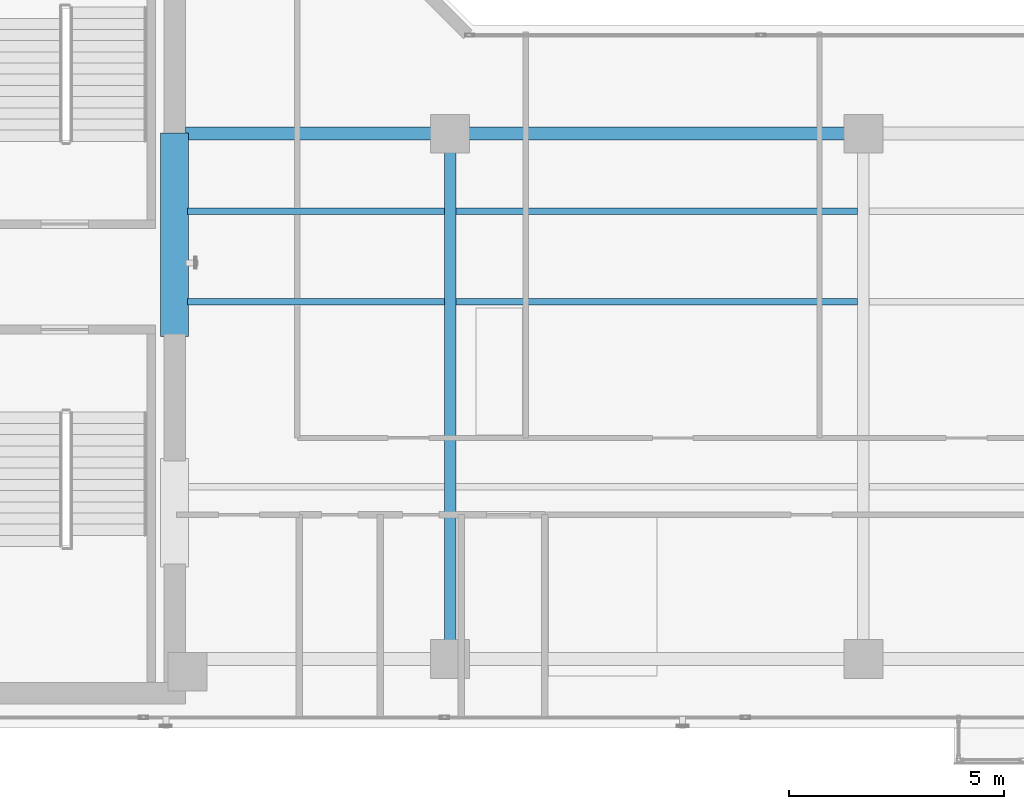
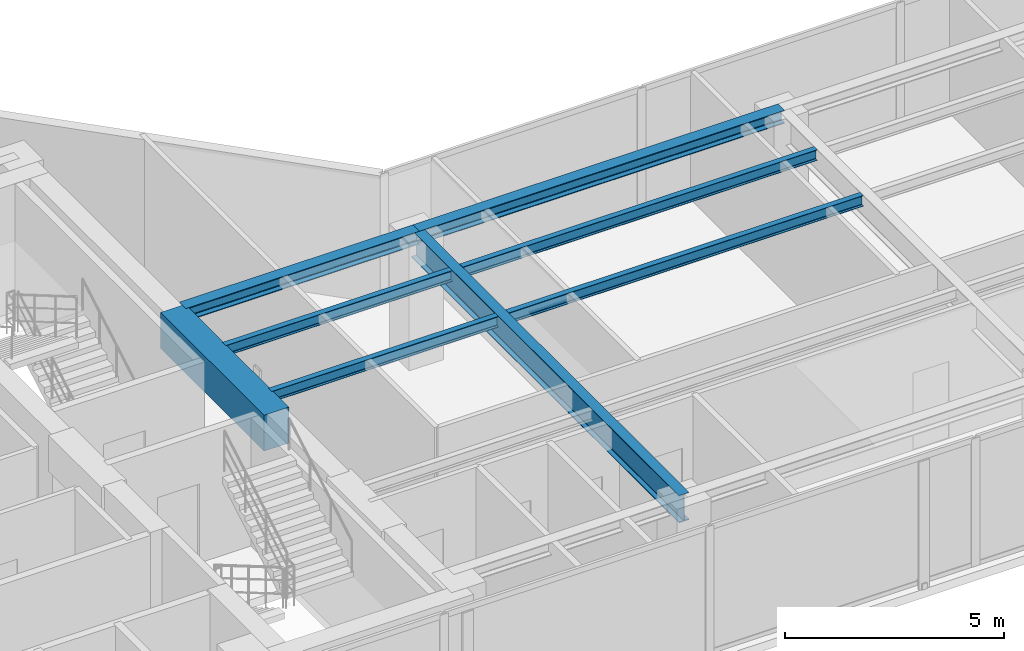
# One storey, part 5 of 23: 8 beams.
"""IFC4 building model written with IfcOpenShell, lengths in metres."""

import ifcopenshell
import ifcopenshell.guid

model = None  # the IFC model being written
_history = None  # IfcOwnerHistory: only IFC2X3 demands one
_inside = {}  # id of a spatial element -> (the spatial element, [elements in it])
_under = {}  # id of a project, library or spatial element -> (it, [spatial elements below it])
_declared = {}  # id of a project -> (the project, [libraries it declares])
_typed = {}  # id of a type object -> (the type object, [elements of that type])
_made_of = {}  # id of a material, layer set ... -> (it, [elements and type objects made of it])


def new_model(schema):
    """Start an empty IFC model of exactly this schema.

    Asked for "IFC4X3", IfcOpenShell would pick the latest addendum, in which some entities
    have other attributes; the version numbers below select the first issue.
    IFC2X3 requires an IfcOwnerHistory on every rooted entity: one is made here for all.
    """
    global model, _history
    if schema == "IFC4X3":
        model = ifcopenshell.file(schema_version=(4, 3, 0, 0))
    else:
        model = ifcopenshell.file(schema=schema)
    _inside.clear()
    _under.clear()
    _declared.clear()
    _typed.clear()
    _made_of.clear()
    _history = None
    if model.schema == "IFC2X3":
        org = make("IfcOrganization", Name="unknown")
        user = make(
            "IfcPersonAndOrganization",
            ThePerson=make("IfcPerson", FamilyName="unknown"),
            TheOrganization=org,
        )
        app = make(
            "IfcApplication",
            ApplicationDeveloper=org,
            Version="unknown",
            ApplicationFullName="unknown",
            ApplicationIdentifier="unknown",
        )
        _history = make(
            "IfcOwnerHistory",
            OwningUser=user,
            OwningApplication=app,
            ChangeAction="ADDED",
            CreationDate=0,
        )
    return model


def make(cls, **values):
    """One entity of the class cls with the attributes given. An attribute that is None is left unset."""
    return model.create_entity(
        cls, **{name: value for name, value in values.items() if value is not None}
    )


def rooted(cls, **values):
    """An entity with a GlobalId (a new one), such as an element, a storey or a relation."""
    return make(cls, GlobalId=ifcopenshell.guid.new(), OwnerHistory=_history, **values)


def si_unit(unit_type, name, prefix=None):
    """IfcSIUnit, for example si_unit("LENGTHUNIT", "METRE", prefix="MILLI")."""
    return make("IfcSIUnit", UnitType=unit_type, Prefix=prefix, Name=name)


def assignment(units):
    """IfcUnitAssignment: the units of a project."""
    return None if units is None else make("IfcUnitAssignment", Units=units)


def point(xyz):
    """IfcCartesianPoint."""
    return None if xyz is None else make("IfcCartesianPoint", Coordinates=xyz)


def direction(xyz):
    """IfcDirection."""
    return None if xyz is None else make("IfcDirection", DirectionRatios=xyz)


def frame(location, z_axis=None, x_axis=None):
    """IfcAxis2Placement3D, a coordinate frame: its origin and axes. An axis left out is left unset."""
    return make(
        "IfcAxis2Placement3D",
        Location=point(location),
        Axis=direction(z_axis),
        RefDirection=direction(x_axis),
    )


def frame_2d(location, x_axis=None):
    """IfcAxis2Placement2D, a coordinate frame in the plane: its origin and x axis."""
    return make(
        "IfcAxis2Placement2D", Location=point(location), RefDirection=direction(x_axis)
    )


def origin():
    """The frame at (0, 0, 0) with its axes left unset."""
    return frame((0.0, 0.0, 0.0))


def origin_2d():
    """The frame at (0, 0) in the plane with its x axis left unset."""
    return frame_2d((0.0, 0.0))


def place(relative_to, where):
    """IfcLocalPlacement: puts the frame where relative to a parent placement (None: the world)."""
    return make(
        "IfcLocalPlacement", PlacementRelTo=relative_to, RelativePlacement=where
    )


def context(
    kind, dimensions, precision=None, world=None, true_north=None, identifier=None
):
    """IfcGeometricRepresentationContext, for example the 3D "Model" context."""
    return make(
        "IfcGeometricRepresentationContext",
        ContextIdentifier=identifier,
        ContextType=kind,
        CoordinateSpaceDimension=dimensions,
        Precision=precision,
        WorldCoordinateSystem=world,
        TrueNorth=true_north,
    )


def subcontext(parent, identifier, kind, view, scale=None):
    """IfcGeometricRepresentationSubContext, for example "Body" below "Model"."""
    return make(
        "IfcGeometricRepresentationSubContext",
        ContextIdentifier=identifier,
        ContextType=kind,
        ParentContext=parent,
        TargetScale=scale,
        TargetView=view,
    )


def project(units=None, contexts=None):
    """IfcProject with its units and contexts."""
    return rooted(
        "IfcProject",
        Name="project",
        RepresentationContexts=contexts,
        UnitsInContext=assignment(units),
    )


def spatial(cls, under=None, at=None, **own):
    """A site, building, storey or space (cls), placed at a placement, below another one or the project."""
    s = rooted(cls, ObjectPlacement=at, **own)
    if under is not None:
        _under.setdefault(under.id(), (under, []))[1].append(s)
    return s


def profile(cls, at=None, kind="AREA", **sizes):
    """A parametric profile (cls). Its sizes go by their IFC names, for example OverallWidth=200.0."""
    return make(cls, ProfileType=kind, Position=at, **sizes)


def rectangle(**sizes):
    """IfcRectangleProfileDef."""
    return profile("IfcRectangleProfileDef", **sizes)


def i_section(**sizes):
    """IfcIShapeProfileDef."""
    return profile("IfcIShapeProfileDef", **sizes)


def extrude(swept, where, along, depth):
    """IfcExtrudedAreaSolid: the profile swept, set in the frame where, extruded along a direction by depth."""
    return make(
        "IfcExtrudedAreaSolid",
        SweptArea=swept,
        Position=where,
        ExtrudedDirection=direction(along),
        Depth=depth,
    )


def shape(context_of_items, identifier, shape_type, items):
    """IfcShapeRepresentation: the items that make up one representation, for example the "Body"."""
    return make(
        "IfcShapeRepresentation",
        ContextOfItems=context_of_items,
        RepresentationIdentifier=identifier,
        RepresentationType=shape_type,
        Items=items,
    )


def material(Name=None, Category=None):
    """IfcMaterial."""
    return make("IfcMaterial", Name=Name, Category=Category)


def material_profile(
    of_material, cross_section, Name=None, Category=None, Priority=None
):
    """IfcMaterialProfile: a cross section and its material."""
    return make(
        "IfcMaterialProfile",
        Name=Name,
        Material=of_material,
        Profile=cross_section,
        Priority=Priority,
        Category=Category,
    )


def profile_set(profiles, Name=None, composite=None):
    """IfcMaterialProfileSet."""
    return make(
        "IfcMaterialProfileSet",
        Name=Name,
        MaterialProfiles=profiles,
        CompositeProfile=composite,
    )


def made_of(thing, what):
    """Note that an element or type object is made of a material, layer set ...; save() writes the relation."""
    if what is not None:
        _made_of.setdefault(what.id(), (what, []))[1].append(thing)
    return thing


def type_object(cls, material=None, **own):
    """A type object (cls), such as IfcWallType, which elements share."""
    return made_of(rooted(cls, **own), material)


def element(
    cls,
    number,
    at=None,
    inside=None,
    cuts=None,
    type_object=None,
    material=None,
    context=None,
    identifier="Body",
    shape_type=None,
    held_by="IfcProductDefinitionShape",
    body=None,
    shapes=None,
    **own,
):
    """One element of the class cls, such as IfcWall. Its Tag is "e" and its number.

    at: its placement. inside: the storey or other place that contains it. cuts: it is an
    opening in that element (IfcRelVoidsElement). A single representation is given by context,
    identifier, shape_type and body (its items); several are given by shapes. held_by: the class
    of the entity that holds the representations. save() writes the other relations.
    """
    e = rooted(cls, Tag="e%d" % number, ObjectPlacement=at, **own)
    if body is not None:
        shapes = [shape(context, identifier, shape_type, body)]
    if shapes is not None:
        e.Representation = make(held_by, Representations=shapes)
    if inside is not None:
        _inside.setdefault(inside.id(), (inside, []))[1].append(e)
    if cuts is not None:
        rooted(
            "IfcRelVoidsElement", RelatingBuildingElement=cuts, RelatedOpeningElement=e
        )
    if type_object is not None:
        _typed.setdefault(type_object.id(), (type_object, []))[1].append(e)
    return made_of(e, material)


def aggregate(whole, parts):
    """IfcRelAggregates: a whole, such as a stair, and the parts it consists of."""
    return rooted("IfcRelAggregates", RelatingObject=whole, RelatedObjects=parts)


def save(model, path):
    """Write the relations noted so far, then the file.

    IfcRelAggregates (storeys below a building ...), IfcRelContainedInSpatialStructure (elements
    in a storey), IfcRelDefinesByType, IfcRelAssociatesMaterial and IfcRelDeclares: one each for
    every whole, place, type object, material and project.
    """
    for whole, parts in _under.values():
        aggregate(whole, parts)
    for where, things in _inside.values():
        rooted(
            "IfcRelContainedInSpatialStructure",
            RelatedElements=things,
            RelatingStructure=where,
        )
    for kind, things in _typed.values():
        rooted("IfcRelDefinesByType", RelatedObjects=things, RelatingType=kind)
    for what, things in _made_of.values():
        rooted("IfcRelAssociatesMaterial", RelatedObjects=things, RelatingMaterial=what)
    for by, libraries in _declared.values():
        rooted("IfcRelDeclares", RelatingContext=by, RelatedDefinitions=libraries)
    model.write(path)


model = new_model("IFC4")

# Units and contexts
model_context = context("Model", 3, precision=1e-05, world=origin(), true_north=direction((0.0, 1.0)))
body_context = subcontext(model_context, "Body", "Model", "MODEL_VIEW")
ifc_project = project(units=[si_unit("LENGTHUNIT", "METRE"), si_unit("AREAUNIT", "SQUARE_METRE"), si_unit("VOLUMEUNIT", "CUBIC_METRE"), si_unit("PLANEANGLEUNIT", "RADIAN"), si_unit("MASSUNIT", "GRAM", prefix="KILO")], contexts=[model_context])

# Site, building, storey
site_placement = place(None, origin())
site = spatial("IfcSite", under=ifc_project, at=site_placement, CompositionType="ELEMENT")
building_placement = place(site_placement, origin())
building = spatial("IfcBuilding", under=site, at=building_placement, Name="Kolvaren Waterfront Exchange", CompositionType="ELEMENT")
storey_placement = place(building_placement, frame((0.0, 0.0, 289.39990234375)))
storey = spatial("IfcBuildingStorey", under=building, at=storey_placement, Name="L74", CompositionType="ELEMENT", Elevation=289.39990234375)

# Beams
ifc_material_1 = material(Name="Steel S355", Category="steel")
ifc_material_profile_1 = material_profile(ifc_material_1, i_section(OverallWidth=0.300048828125, OverallDepth=0.360107421875, WebThickness=0.012451171875, FlangeThickness=0.0224609375, FilletRadius=0.027099609375, at=origin_2d()), Name="HEB360")
ifc_profile_set_1 = profile_set([ifc_material_profile_1], Name="Steel S355")
beam_type_1 = type_object("IfcBeamType", Name="STR-BM-HEB360", PredefinedType="SPANDREL", material=ifc_profile_set_1)
beam_1_placement = place(storey_placement, frame((21.050048828125, 17.39990234375, 3.380126953125), z_axis=(1.0, 0.0, 0.0), x_axis=(0.0, 1.0, 0.0)))
element("IfcBeam", 1, at=beam_1_placement, inside=storey, type_object=beam_type_1, Name="L74 east-arm spandrel N1", PredefinedType="SPANDREL", context=body_context, shape_type="SweptSolid", body=[
    extrude(i_section(OverallWidth=0.300048828125, OverallDepth=0.360107421875, WebThickness=0.012451171875, FlangeThickness=0.0224609375, FilletRadius=0.027099609375, at=origin_2d()), origin(), (0.0, 0.0, 1.0), 6.14990234375),
])
beam_2_placement = place(storey_placement, frame((27.199951171875, 17.39990234375, 3.380126953125), z_axis=(1.0, 0.0, 0.0), x_axis=(0.0, 1.0, 0.0)))
element("IfcBeam", 2, at=beam_2_placement, inside=storey, type_object=beam_type_1, Name="L74 east-arm spandrel N2", PredefinedType="SPANDREL", context=body_context, shape_type="SweptSolid", body=[
    extrude(i_section(OverallWidth=0.300048828125, OverallDepth=0.360107421875, WebThickness=0.012451171875, FlangeThickness=0.0224609375, FilletRadius=0.027099609375, at=origin_2d()), origin(), (0.0, 0.0, 1.0), 9.60009765625),
])
ifc_material_profile_2 = material_profile(ifc_material_1, i_section(OverallWidth=0.14990234375, OverallDepth=0.300048828125, WebThickness=0.007080078125, FlangeThickness=0.0107421875, FilletRadius=0.014892578125, at=origin_2d()), Name="IPE300")
ifc_profile_set_2 = profile_set([ifc_material_profile_2], Name="Steel S355")
beam_type_2 = type_object("IfcBeamType", Name="STR-BM-IPE300", PredefinedType="JOIST", material=ifc_profile_set_2)
for number, where, z_axis, x_axis, name in (
    (3, (21.10009765625, 13.5, 3.41015625), (1.0, 0.0, 0.0), (0.0, 1.0, 0.0), "L74 east-arm composite joist 1A"),
    (4, (21.10009765625, 15.60009765625, 3.41015625), (1.0, 0.0, 0.0), (0.0, 1.0, 0.0), "L74 east-arm composite joist 1C"),
):
    element("IfcBeam", number, at=place(storey_placement, frame(where, z_axis=z_axis, x_axis=x_axis)), inside=storey, type_object=beam_type_2, Name=name, PredefinedType="JOIST", context=body_context, shape_type="SweptSolid", body=[
        extrude(i_section(OverallWidth=0.14990234375, OverallDepth=0.300048828125, WebThickness=0.007080078125, FlangeThickness=0.0107421875, FilletRadius=0.014892578125, at=origin_2d()), origin(), (0.0, 0.0, 1.0), 5.96435546875),
    ])
for number, where, z_axis, x_axis, name in (
    (5, (27.33544921875, 13.5, 3.41015625), (1.0, 0.0, 0.0), (0.0, 1.0, 0.0), "L74 east-arm composite joist 2A"),
    (6, (27.33544921875, 15.60009765625, 3.41015625), (1.0, 0.0, 0.0), (0.0, 1.0, 0.0), "L74 east-arm composite joist 2C"),
):
    element("IfcBeam", number, at=place(storey_placement, frame(where, z_axis=z_axis, x_axis=x_axis)), inside=storey, type_object=beam_type_2, Name=name, PredefinedType="JOIST", context=body_context, shape_type="SweptSolid", body=[
        extrude(i_section(OverallWidth=0.14990234375, OverallDepth=0.300048828125, WebThickness=0.007080078125, FlangeThickness=0.0107421875, FilletRadius=0.014892578125, at=origin_2d()), origin(), (0.0, 0.0, 1.0), 9.3291015625),
    ])
ifc_material_profile_3 = material_profile(ifc_material_1, i_section(OverallWidth=0.26708984375, OverallDepth=0.761962890625, WebThickness=0.014404296875, FlangeThickness=0.021484375, FilletRadius=0.01708984375, at=origin_2d()), Name="IPE750x173")
ifc_profile_set_3 = profile_set([ifc_material_profile_3], Name="Steel S355")
beam_type_3 = type_object("IfcBeamType", Name="STR-BM-IPE750", PredefinedType="BEAM", material=ifc_profile_set_3)
beam_3_placement = place(storey_placement, frame((27.199951171875, 5.199951171875, 3.17919921875), z_axis=(0.0, 1.0, 0.0), x_axis=(-1.0, 0.0, 0.0)))
element("IfcBeam", 7, at=beam_3_placement, inside=storey, type_object=beam_type_3, Name="L74 east-arm transverse girder X27", PredefinedType="BEAM", context=body_context, shape_type="SweptSolid", body=[
    extrude(i_section(OverallWidth=0.26708984375, OverallDepth=0.761962890625, WebThickness=0.014404296875, FlangeThickness=0.021484375, FilletRadius=0.01708984375, at=origin_2d()), origin(), (0.0, 0.0, 1.0), 12.199951171875),
])
ifc_material_2 = material(Name="Concrete C60/75", Category="concrete")
ifc_material_profile_4 = material_profile(ifc_material_2, rectangle(XDim=0.64990234375, YDim=1.0, at=origin_2d()), Name="RC-CB-1000x650")
ifc_profile_set_4 = profile_set([ifc_material_profile_4], Name="Concrete C60/75")
beam_type_4 = type_object("IfcBeamType", Name="STR-CB-1000", PredefinedType="SPANDREL", material=ifc_profile_set_4)
beam_4_placement = place(storey_placement, frame((20.800048828125, 12.68994140625, 3.06005859375), z_axis=(0.0, 1.0, 0.0), x_axis=(-1.0, 0.0, 0.0)))
element("IfcBeam", 8, at=beam_4_placement, inside=storey, type_object=beam_type_4, Name="L74 core coupling beam 2", PredefinedType="SPANDREL", context=body_context, shape_type="SweptSolid", body=[
    extrude(rectangle(XDim=0.64990234375, YDim=1.0, at=origin_2d()), origin(), (0.0, 0.0, 1.0), 4.719970703125),
])

save(model, "model.ifc")
